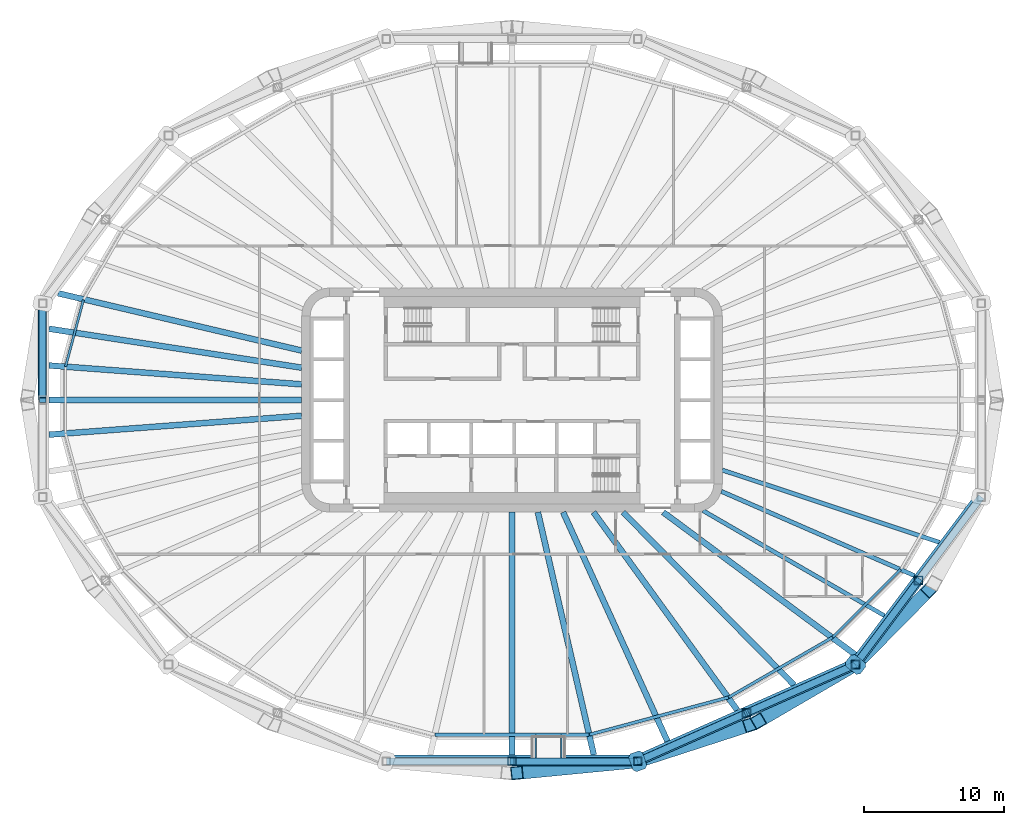
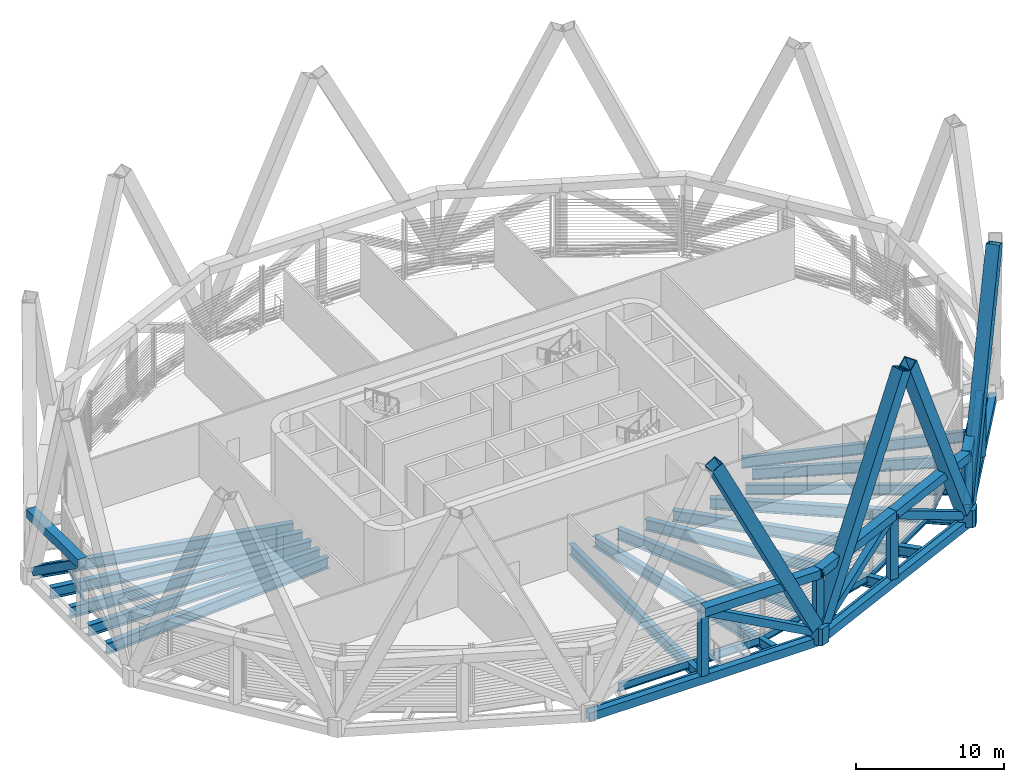
# One storey, part 2 of 18: 27 beams, 21 members.
"""IFC4 building model written with IfcOpenShell, lengths in metres."""

from ifc_helpers import new_model, si_unit, direction, frame, origin, origin_2d, place, context, subcontext, project, spatial, polyline, hollow_rectangle, i_section, outline, extrude, material, material_profile, profile_set, type_object, element, save


model = new_model("IFC4")

# Units and contexts
model_context = context("Model", 3, precision=1e-05, world=origin(), true_north=direction((0.0, 1.0)))
body_context = subcontext(model_context, "Body", "Model", "MODEL_VIEW")
ifc_project = project(units=[si_unit("LENGTHUNIT", "METRE"), si_unit("AREAUNIT", "SQUARE_METRE"), si_unit("VOLUMEUNIT", "CUBIC_METRE"), si_unit("PLANEANGLEUNIT", "RADIAN"), si_unit("MASSUNIT", "GRAM", prefix="KILO")], contexts=[model_context])

# Site, building, storey
site_placement = place(None, origin())
site = spatial("IfcSite", under=ifc_project, at=site_placement, CompositionType="ELEMENT")
building_placement = place(site_placement, origin())
building = spatial("IfcBuilding", under=site, at=building_placement, Name="Sahrelin Media Tower", CompositionType="ELEMENT")
storey_placement = place(building_placement, frame((0.0, 0.0, 96.60009765625)))
storey = spatial("IfcBuildingStorey", under=building, at=storey_placement, Name="L18", CompositionType="ELEMENT", Elevation=96.60009765625)

# Members
ifc_material_1 = material(Name="Steel S460", Category="steel")
ifc_material_profile_1 = material_profile(ifc_material_1, hollow_rectangle(XDim=0.699951171875, YDim=0.699951171875, WallThickness=0.044921875, at=origin_2d()), Name="Belt truss chord BC")
ifc_profile_set_1 = profile_set([ifc_material_profile_1], Name="Steel S460")
member_type_1 = type_object("IfcMemberType", Name="Belt truss chord BC", PredefinedType="CHORD", material=ifc_profile_set_1)
member_1_placement = place(storey_placement, frame((-33.46923828125, 6.902587890625, 4.89990234375), z_axis=(0.0, -1.0, 0.0), x_axis=(1.0, 0.0, 0.0)))
element("IfcMember", 1, at=member_1_placement, inside=storey, type_object=member_type_1, Name="Belt truss member BT03-05-T1", PredefinedType="CHORD", context=body_context, shape_type="SweptSolid", body=[
    extrude(hollow_rectangle(XDim=0.699951171875, YDim=0.699951171875, WallThickness=0.044921875, at=origin_2d()), origin(), (0.0, 0.0, 1.0), 6.902587890625),
])
member_2_placement = place(storey_placement, frame((0.0, -25.76123046875, 4.89990234375), z_axis=(1.0, 0.0, 0.0), x_axis=(0.0, 1.0, 0.0)))
element("IfcMember", 2, at=member_2_placement, inside=storey, type_object=member_type_1, Name="Belt truss member BT03-08-T2", PredefinedType="CHORD", context=body_context, shape_type="SweptSolid", body=[
    extrude(hollow_rectangle(XDim=0.699951171875, YDim=0.699951171875, WallThickness=0.044921875, at=origin_2d()), origin(), (0.0, 0.0, 1.0), 8.968017578125),
])
for number, where, z_axis, x_axis, name in (
    (3, (8.968017578125, -25.76123046875, 4.89990234375), (0.913829316363, 0.406098486276, 0.0), (-0.406098486276, 0.913829316363, 0.0), "Belt truss member BT03-09-T1"),
    (4, (16.734619140625, -22.309814453125, 4.89990234375), (0.913829316363, 0.406098486276, 0.0), (-0.406098486276, 0.913829316363, 0.0), "Belt truss member BT03-09-T2"),
):
    element("IfcMember", number, at=place(storey_placement, frame(where, z_axis=z_axis, x_axis=x_axis)), inside=storey, type_object=member_type_1, Name=name, PredefinedType="CHORD", context=body_context, shape_type="SweptSolid", body=[
        extrude(hollow_rectangle(XDim=0.699951171875, YDim=0.699951171875, WallThickness=0.044921875, at=origin_2d()), origin(), (0.0, 0.0, 1.0), 8.4990234375),
    ])
member_3_placement = place(storey_placement, frame((24.501220703125, -18.8583984375, 4.89990234375), z_axis=(0.600067953481, 0.79994903038, 0.0), x_axis=(-0.79994903038, 0.600067953481, 0.0)))
element("IfcMember", 5, at=member_3_placement, inside=storey, type_object=member_type_1, Name="Belt truss member BT03-10-T1", PredefinedType="CHORD", context=body_context, shape_type="SweptSolid", body=[
    extrude(hollow_rectangle(XDim=0.699951171875, YDim=0.699951171875, WallThickness=0.044921875, at=origin_2d()), origin(), (0.0, 0.0, 1.0), 7.47265625),
])
ifc_material_profile_2 = material_profile(ifc_material_1, hollow_rectangle(XDim=0.5, YDim=0.60009765625, WallThickness=0.030029296875, at=origin_2d()), Name="Belt truss diagonal BD")
ifc_profile_set_2 = profile_set([ifc_material_profile_2], Name="Steel S460")
member_type_2 = type_object("IfcMemberType", Name="Belt truss diagonal BD", PredefinedType="BRACE", material=ifc_profile_set_2)
member_4_placement = place(storey_placement, frame((-33.46923828125, 6.36669921875, 0.38037109375), z_axis=(0.0, -0.815432871451, 0.578851649525), x_axis=(1.0, 0.0, 0.0)))
element("IfcMember", 6, at=member_4_placement, inside=storey, type_object=member_type_2, Name="Belt truss member BT03-05-X1", PredefinedType="BRACE", context=body_context, shape_type="SweptSolid", body=[
    extrude(hollow_rectangle(XDim=0.5, YDim=0.60009765625, WallThickness=0.030029296875, at=origin_2d()), origin(), (0.0, 0.0, 1.0), 7.807861328125),
])
member_5_placement = place(storey_placement, frame((8.412109375, -25.76123046875, 0.3037109375), z_axis=(-0.877554684611, 0.0, 0.479476564096), x_axis=(0.0, -1.0, 0.0)))
element("IfcMember", 7, at=member_5_placement, inside=storey, type_object=member_type_2, Name="Belt truss member BT03-08-X2", PredefinedType="BRACE", context=body_context, shape_type="SweptSolid", body=[
    extrude(hollow_rectangle(XDim=0.5, YDim=0.60009765625, WallThickness=0.030029296875, at=origin_2d()), origin(), (0.0, 0.0, 1.0), 9.5859375),
])
member_6_placement = place(storey_placement, frame((9.449462890625, -25.54736328125, 0.3037109375), z_axis=(0.791676830159, 0.351823942518, 0.499467426427), x_axis=(-0.406107210213, 0.913825439465, 0.0)))
element("IfcMember", 8, at=member_6_placement, inside=storey, type_object=member_type_2, Name="Belt truss member BT03-09-X1", PredefinedType="BRACE", context=body_context, shape_type="SweptSolid", body=[
    extrude(hollow_rectangle(XDim=0.5, YDim=0.60009765625, WallThickness=0.030029296875, at=origin_2d()), origin(), (0.0, 0.0, 1.0), 9.2021484375),
])
member_7_placement = place(storey_placement, frame((23.95556640625, -19.10107421875, 0.34423828125), z_axis=(-0.791685975004, -0.351797977127, 0.499471220664), x_axis=(0.40607826395, -0.913838302736, 0.0)))
element("IfcMember", 9, at=member_7_placement, inside=storey, type_object=member_type_2, Name="Belt truss member BT03-09-X2", PredefinedType="BRACE", context=body_context, shape_type="SweptSolid", body=[
    extrude(hollow_rectangle(XDim=0.5, YDim=0.60009765625, WallThickness=0.030029296875, at=origin_2d()), origin(), (0.0, 0.0, 1.0), 9.12109375),
])
member_8_placement = place(storey_placement, frame((24.81640625, -18.4384765625, 0.34423828125), z_axis=(0.501794767351, 0.668971531901, 0.548342138602), x_axis=(-0.799962047202, 0.600050600396, 0.0)))
element("IfcMember", 10, at=member_8_placement, inside=storey, type_object=member_type_2, Name="Belt truss member BT03-10-X1", PredefinedType="BRACE", context=body_context, shape_type="SweptSolid", body=[
    extrude(hollow_rectangle(XDim=0.5, YDim=0.60009765625, WallThickness=0.030029296875, at=origin_2d()), origin(), (0.0, 0.0, 1.0), 8.30810546875),
])
ifc_material_profile_3 = material_profile(ifc_material_1, hollow_rectangle(XDim=0.60009765625, YDim=0.60009765625, WallThickness=0.034912109375, at=origin_2d()), Name="Belt truss post BP")
ifc_profile_set_3 = profile_set([ifc_material_profile_3], Name="Steel S460")
member_type_3 = type_object("IfcMemberType", Name="Belt truss post BP", PredefinedType="POST", material=ifc_profile_set_3)
member_9_placement = place(storey_placement, frame((0.0, -25.76123046875, -0.320068359375), z_axis=(0.0, 0.0, 1.0), x_axis=(1.0, 0.0, 0.0)))
element("IfcMember", 11, at=member_9_placement, inside=storey, type_object=member_type_3, Name="Belt truss member BT03-08-P1", PredefinedType="POST", context=body_context, shape_type="SweptSolid", body=[
    extrude(hollow_rectangle(XDim=0.60009765625, YDim=0.60009765625, WallThickness=0.034912109375, at=origin_2d()), origin(), (0.0, 0.0, 1.0), 5.219970703125),
])
member_10_placement = place(storey_placement, frame((8.968017578125, -25.76123046875, 0.699951171875), z_axis=(0.0, 0.0, 1.0), x_axis=(1.0, 0.0, 0.0)))
element("IfcMember", 12, at=member_10_placement, inside=storey, type_object=member_type_3, Name="Belt truss member BT03-09-P0", PredefinedType="POST", context=body_context, shape_type="SweptSolid", body=[
    extrude(hollow_rectangle(XDim=0.60009765625, YDim=0.60009765625, WallThickness=0.034912109375, at=origin_2d()), origin(), (0.0, 0.0, 1.0), 4.199951171875),
])
member_11_placement = place(storey_placement, frame((16.734619140625, -22.309814453125, -0.320068359375), z_axis=(0.0, 0.0, 1.0), x_axis=(1.0, 0.0, 0.0)))
element("IfcMember", 13, at=member_11_placement, inside=storey, type_object=member_type_3, Name="Belt truss member BT03-09-P1", PredefinedType="POST", context=body_context, shape_type="SweptSolid", body=[
    extrude(hollow_rectangle(XDim=0.60009765625, YDim=0.60009765625, WallThickness=0.034912109375, at=origin_2d()), origin(), (0.0, 0.0, 1.0), 5.219970703125),
])
member_12_placement = place(storey_placement, frame((24.501220703125, -18.8583984375, 0.699951171875), z_axis=(0.0, 0.0, 1.0), x_axis=(1.0, 0.0, 0.0)))
element("IfcMember", 14, at=member_12_placement, inside=storey, type_object=member_type_3, Name="Belt truss member BT03-10-P0", PredefinedType="POST", context=body_context, shape_type="SweptSolid", body=[
    extrude(hollow_rectangle(XDim=0.60009765625, YDim=0.60009765625, WallThickness=0.034912109375, at=origin_2d()), origin(), (0.0, 0.0, 1.0), 4.199951171875),
])
member_13_placement = place(storey_placement, frame((28.9853515625, -12.880615234375, -0.320068359375), z_axis=(0.0, 0.0, 1.0), x_axis=(1.0, 0.0, 0.0)))
element("IfcMember", 15, at=member_13_placement, inside=storey, type_object=member_type_3, Name="Belt truss member BT03-10-P1", PredefinedType="POST", context=body_context, shape_type="SweptSolid", body=[
    extrude(hollow_rectangle(XDim=0.60009765625, YDim=0.60009765625, WallThickness=0.034912109375, at=origin_2d()), origin(), (0.0, 0.0, 1.0), 5.219970703125),
])
ifc_material_profile_4 = material_profile(ifc_material_1, hollow_rectangle(XDim=0.949951171875, YDim=0.949951171875, WallThickness=0.054931640625, at=origin_2d()), Name="Diagrid diagonal DG2")
ifc_profile_set_4 = profile_set([ifc_material_profile_4], Name="Steel S460")
member_type_4 = type_object("IfcMemberType", Name="Diagrid diagonal DG2", PredefinedType="BRACE", material=ifc_profile_set_4)
member_14_placement = place(storey_placement, frame((8.619384765625, -25.794921875, 0.699951171875), z_axis=(-0.445531291563, -0.043019626128, 0.894232173435), x_axis=(0.096111031278, -0.99537061925, 0.0)))
element("IfcMember", 16, at=member_14_placement, inside=storey, type_object=member_type_4, Name="Diagrid diagonal D03-18", PredefinedType="BRACE", context=body_context, shape_type="SweptSolid", body=[
    extrude(hollow_rectangle(XDim=0.949951171875, YDim=0.949951171875, WallThickness=0.054931640625, at=origin_2d()), origin(), (0.0, 0.0, 1.0), 18.563232421875),
])
member_15_placement = place(storey_placement, frame((9.2919921875, -25.656005859375, 0.699951171875), z_axis=(0.416103339156, 0.134953864114, 0.899247166081), x_axis=(-0.308507655492, 0.951221859769, 0.0)))
element("IfcMember", 17, at=member_15_placement, inside=storey, type_object=member_type_4, Name="Diagrid diagonal D03-19", PredefinedType="BRACE", context=body_context, shape_type="SweptSolid", body=[
    extrude(hollow_rectangle(XDim=0.949951171875, YDim=0.949951171875, WallThickness=0.054931640625, at=origin_2d()), origin(), (0.0, 0.0, 1.0), 18.459716796875),
])
member_16_placement = place(storey_placement, frame((24.220947265625, -19.02197265625, 0.699951171875), z_axis=(-0.363136743751, -0.211780836518, 0.907348104435), x_axis=(0.503784178099, -0.863829556045, 0.0)))
element("IfcMember", 18, at=member_16_placement, inside=storey, type_object=member_type_4, Name="Diagrid diagonal D03-20", PredefinedType="BRACE", context=body_context, shape_type="SweptSolid", body=[
    extrude(hollow_rectangle(XDim=0.949951171875, YDim=0.949951171875, WallThickness=0.054931640625, at=origin_2d()), origin(), (0.0, 0.0, 1.0), 18.294921875),
])
member_17_placement = place(storey_placement, frame((24.71337890625, -18.642822265625, 0.699951171875), z_axis=(0.278358636156, 0.28275966993, 0.917912544166), x_axis=(-0.712630930764, 0.70153913399, 0.0)))
element("IfcMember", 19, at=member_17_placement, inside=storey, type_object=member_type_4, Name="Diagrid diagonal D03-21", PredefinedType="BRACE", context=body_context, shape_type="SweptSolid", body=[
    extrude(hollow_rectangle(XDim=0.949951171875, YDim=0.949951171875, WallThickness=0.054931640625, at=origin_2d()), origin(), (0.0, 0.0, 1.0), 18.08447265625),
])
ifc_material_profile_5 = material_profile(ifc_material_1, outline(polyline([(0.47509765625, -0.52490234375), (0.675048828125, -0.324951171875), (0.675048828125, 0.324951171875), (0.47509765625, 0.52490234375), (-0.47509765625, 0.52490234375), (-0.675048828125, 0.324951171875), (-0.675048828125, -0.324951171875), (-0.47509765625, -0.52490234375), (0.47509765625, -0.52490234375)])), Name="Diagrid node block 1350")
ifc_profile_set_5 = profile_set([ifc_material_profile_5], Name="Steel S460")
member_type_5 = type_object("IfcMemberType", Name="Diagrid node block 1350", PredefinedType="USERDEFINED", material=ifc_profile_set_5)
for number, where, z_axis, x_axis, name in (
    (20, (8.968017578125, -25.76123046875, -0.7001953125), (0.0, 0.0, 1.0), (0.328771046687, -0.944409656272, 0.0), "Diagrid node N03-09"),
    (21, (24.501220703125, -18.8583984375, -0.7001953125), (0.0, 0.0, 1.0), (0.792445093645, -0.609943254376, 0.0), "Diagrid node N03-10"),
):
    element("IfcMember", number, at=place(storey_placement, frame(where, z_axis=z_axis, x_axis=x_axis)), inside=storey, type_object=member_type_5, Name=name, ObjectType="NODE", PredefinedType="USERDEFINED", context=body_context, shape_type="SweptSolid", body=[
        extrude(outline(polyline([(0.47509765625, -0.52490234375), (0.675048828125, -0.324951171875), (0.675048828125, 0.324951171875), (0.47509765625, 0.52490234375), (-0.47509765625, 0.52490234375), (-0.675048828125, 0.324951171875), (-0.675048828125, -0.324951171875), (-0.47509765625, -0.52490234375), (0.47509765625, -0.52490234375)])), origin(), (0.0, 0.0, 1.0), 1.400146484375),
    ])

# Beams
ifc_material_profile_6 = material_profile(ifc_material_1, hollow_rectangle(XDim=0.5, YDim=0.699951171875, WallThickness=0.034912109375, at=origin_2d()), Name="Diagrid ring beam RB2")
ifc_profile_set_6 = profile_set([ifc_material_profile_6], Name="Steel S460")
beam_type_1 = type_object("IfcBeamType", Name="Diagrid ring beam RB2", PredefinedType="BEAM", material=ifc_profile_set_6)
beam_1_placement = place(storey_placement, frame((-8.968017578125, -25.76123046875, -0.650146484375), z_axis=(1.0, 0.0, 0.0), x_axis=(0.0, 1.0, 0.0)))
element("IfcBeam", 22, at=beam_1_placement, inside=storey, type_object=beam_type_1, Name="Diagrid ring beam RB03-08", PredefinedType="BEAM", context=body_context, shape_type="SweptSolid", body=[
    extrude(hollow_rectangle(XDim=0.5, YDim=0.699951171875, WallThickness=0.034912109375, at=origin_2d()), origin(), (0.0, 0.0, 1.0), 17.93603515625),
])
beam_2_placement = place(storey_placement, frame((8.968017578125, -25.76123046875, -0.650146484375), z_axis=(0.913829316363, 0.406098486276, 0.0), x_axis=(-0.406098486276, 0.913829316363, 0.0)))
element("IfcBeam", 23, at=beam_2_placement, inside=storey, type_object=beam_type_1, Name="Diagrid ring beam RB03-09", PredefinedType="BEAM", context=body_context, shape_type="SweptSolid", body=[
    extrude(hollow_rectangle(XDim=0.5, YDim=0.699951171875, WallThickness=0.034912109375, at=origin_2d()), origin(), (0.0, 0.0, 1.0), 16.998046875),
])
beam_3_placement = place(storey_placement, frame((24.501220703125, -18.8583984375, -0.650146484375), z_axis=(0.600049658577, 0.799962753659, 0.0), x_axis=(-0.799962753659, 0.600049658577, 0.0)))
element("IfcBeam", 24, at=beam_3_placement, inside=storey, type_object=beam_type_1, Name="Diagrid ring beam RB03-10", PredefinedType="BEAM", context=body_context, shape_type="SweptSolid", body=[
    extrude(hollow_rectangle(XDim=0.5, YDim=0.699951171875, WallThickness=0.034912109375, at=origin_2d()), origin(), (0.0, 0.0, 1.0), 14.945556640625),
])
ifc_material_2 = material(Name="Steel S355", Category="steel")
ifc_material_profile_7 = material_profile(ifc_material_2, i_section(OverallWidth=0.1650390625, OverallDepth=0.303466796875, WebThickness=0.006103515625, FlangeThickness=0.01025390625, FilletRadius=0.0087890625, at=origin_2d()), Name="UB 305x165x40")
ifc_profile_set_7 = profile_set([ifc_material_profile_7], Name="Steel S355")
beam_type_2 = type_object("IfcBeamType", Name="Edge beam EB2", PredefinedType="BEAM", material=ifc_profile_set_7)
beam_4_placement = place(storey_placement, frame((-31.841064453125, 2.385498046875, -0.451904296875), z_axis=(0.258792983491, 0.9659328091, 0.0), x_axis=(-0.9659328091, 0.258792983491, 0.0)))
element("IfcBeam", 25, at=beam_4_placement, inside=storey, type_object=beam_type_2, Name="Edge beam L18-14", PredefinedType="BEAM", context=body_context, shape_type="SweptSolid", body=[
    extrude(i_section(OverallWidth=0.1650390625, OverallDepth=0.303466796875, WebThickness=0.006103515625, FlangeThickness=0.01025390625, FilletRadius=0.0087890625, at=origin_2d()), origin(), (0.0, 0.0, 1.0), 4.932861328125),
])
ifc_material_profile_8 = material_profile(ifc_material_2, i_section(OverallWidth=0.177978515625, OverallDepth=0.406494140625, WebThickness=0.0078125, FlangeThickness=0.0126953125, FilletRadius=0.01025390625, at=origin_2d()), Name="UB 406x178x60")
ifc_profile_set_8 = profile_set([ifc_material_profile_8], Name="Steel S355")
beam_type_3 = type_object("IfcBeamType", Name="Edge beam EB4", PredefinedType="BEAM", material=ifc_profile_set_8)
beam_5_placement = place(storey_placement, frame((27.724853515625, -12.068603515625, -0.50341796875), z_axis=(-0.707106781187, -0.707106781187, 0.0), x_axis=(0.707106781187, -0.707106781187, 0.0)))
element("IfcBeam", 26, at=beam_5_placement, inside=storey, type_object=beam_type_3, Name="Edge beam L18-04", PredefinedType="BEAM", context=body_context, shape_type="SweptSolid", body=[
    extrude(i_section(OverallWidth=0.177978515625, OverallDepth=0.406494140625, WebThickness=0.0078125, FlangeThickness=0.0126953125, FilletRadius=0.01025390625, at=origin_2d()), origin(), (0.0, 0.0, 1.0), 6.843994140625),
])
ifc_material_profile_9 = material_profile(ifc_material_2, i_section(OverallWidth=0.208740234375, OverallDepth=0.5283203125, WebThickness=0.009521484375, FlangeThickness=0.01318359375, FilletRadius=0.0126953125, at=origin_2d()), Name="UB 533x210x82")
ifc_profile_set_9 = profile_set([ifc_material_profile_9], Name="Steel S355")
beam_type_4 = type_object("IfcBeamType", Name="Edge beam EB6", PredefinedType="BEAM", material=ifc_profile_set_9)
beam_6_placement = place(storey_placement, frame((22.862548828125, -16.925537109375, -0.564208984375), z_axis=(-0.866026195692, -0.499998628373, 0.0), x_axis=(0.499998628373, -0.866026195692, 0.0)))
element("IfcBeam", 27, at=beam_6_placement, inside=storey, type_object=beam_type_4, Name="Edge beam L18-05", PredefinedType="BEAM", context=body_context, shape_type="SweptSolid", body=[
    extrude(i_section(OverallWidth=0.208740234375, OverallDepth=0.5283203125, WebThickness=0.009521484375, FlangeThickness=0.01318359375, FilletRadius=0.0126953125, at=origin_2d()), origin(), (0.0, 0.0, 1.0), 8.544921875),
])
ifc_material_profile_10 = material_profile(ifc_material_2, i_section(OverallWidth=0.2275390625, OverallDepth=0.6025390625, WebThickness=0.010498046875, FlangeThickness=0.014892578125, FilletRadius=0.0126953125, at=origin_2d()), Name="UB 610x229x101")
ifc_profile_set_10 = profile_set([ifc_material_profile_10], Name="Steel S355")
beam_type_5 = type_object("IfcBeamType", Name="Edge beam EB7", PredefinedType="BEAM", material=ifc_profile_set_10)
beam_7_placement = place(storey_placement, frame((15.435791015625, -21.208984375, -0.601318359375), z_axis=(-0.965924345533, -0.258824571297, 0.0), x_axis=(0.258824571297, -0.965924345533, 0.0)))
element("IfcBeam", 28, at=beam_7_placement, inside=storey, type_object=beam_type_5, Name="Edge beam L18-06", PredefinedType="BEAM", context=body_context, shape_type="SweptSolid", body=[
    extrude(i_section(OverallWidth=0.2275390625, OverallDepth=0.6025390625, WebThickness=0.010498046875, FlangeThickness=0.014892578125, FilletRadius=0.0126953125, at=origin_2d()), origin(), (0.0, 0.0, 1.0), 10.25146484375),
])
ifc_material_profile_11 = material_profile(ifc_material_2, i_section(OverallWidth=0.2529296875, OverallDepth=0.677978515625, WebThickness=0.01171875, FlangeThickness=0.01611328125, FilletRadius=0.01513671875, at=origin_2d()), Name="UB 686x254x125")
ifc_profile_set_11 = profile_set([ifc_material_profile_11], Name="Steel S355")
beam_type_6 = type_object("IfcBeamType", Name="Edge beam EB8", PredefinedType="BEAM", material=ifc_profile_set_11)
beam_8_placement = place(storey_placement, frame((5.505126953125, -23.8662109375, -0.638916015625), z_axis=(-1.0, 0.0, 0.0), x_axis=(0.0, -1.0, 0.0)))
element("IfcBeam", 29, at=beam_8_placement, inside=storey, type_object=beam_type_6, Name="Edge beam L18-07", PredefinedType="BEAM", context=body_context, shape_type="SweptSolid", body=[
    extrude(i_section(OverallWidth=0.2529296875, OverallDepth=0.677978515625, WebThickness=0.01171875, FlangeThickness=0.01611328125, FilletRadius=0.01513671875, at=origin_2d()), origin(), (0.0, 0.0, 1.0), 11.01025390625),
])
ifc_material_profile_12 = material_profile(ifc_material_2, hollow_rectangle(XDim=0.10009765625, YDim=0.199951171875, WallThickness=0.008056640625, at=origin_2d()), Name="RHS 200x100x8")
ifc_profile_set_12 = profile_set([ifc_material_profile_12], Name="Steel S355")
beam_type_7 = type_object("IfcBeamType", Name="Platform support beam", PredefinedType="BEAM", material=ifc_profile_set_12)
for number, where, z_axis, x_axis, name in (
    (30, (1.699951171875, -23.871826171875, -0.400146484375), (0.0, -1.0, 0.0), (1.0, 0.0, 0.0), "Platform support beam L18-18"),
    (31, (3.5, -23.871826171875, -0.400146484375), (0.0, -1.0, 0.0), (1.0, 0.0, 0.0), "Platform support beam L18-18"),
):
    element("IfcBeam", number, at=place(storey_placement, frame(where, z_axis=z_axis, x_axis=x_axis)), inside=storey, type_object=beam_type_7, Name=name, PredefinedType="BEAM", context=body_context, shape_type="SweptSolid", body=[
        extrude(hollow_rectangle(XDim=0.10009765625, YDim=0.199951171875, WallThickness=0.008056640625, at=origin_2d()), origin(), (0.0, 0.0, 1.0), 1.639404296875),
    ])
ifc_material_profile_13 = material_profile(ifc_material_2, i_section(OverallWidth=0.30322265625, OverallDepth=0.903076171875, WebThickness=0.01513671875, FlangeThickness=0.020263671875, FilletRadius=0.01904296875, at=origin_2d()), Name="UB 914x305x201")
ifc_profile_set_13 = profile_set([ifc_material_profile_13], Name="Steel S355")
beam_type_8 = type_object("IfcBeamType", Name="Radial primary beam PB11", PredefinedType="BEAM", material=ifc_profile_set_13)
beam_9_placement = place(storey_placement, frame((14.932373046875, -6.513427734375, -0.751708984375), z_axis=(0.916592885932, -0.399821812136, 0.0), x_axis=(0.399821812136, 0.916592885932, 0.0)))
element("IfcBeam", 32, at=beam_9_placement, inside=storey, type_object=beam_type_8, Name="Radial beam L18-22", PredefinedType="BEAM", context=body_context, shape_type="SweptSolid", body=[
    extrude(i_section(OverallWidth=0.30322265625, OverallDepth=0.903076171875, WebThickness=0.01513671875, FlangeThickness=0.020263671875, FilletRadius=0.01904296875, at=origin_2d()), origin(), (0.0, 0.0, 1.0), 15.02001953125),
])
ifc_material_profile_14 = material_profile(ifc_material_2, i_section(OverallWidth=0.41845703125, OverallDepth=0.911865234375, WebThickness=0.019287109375, FlangeThickness=0.031982421875, FilletRadius=0.024169921875, at=origin_2d()), Name="UB 914x419x343")
ifc_profile_set_14 = profile_set([ifc_material_profile_14], Name="Steel S355")
beam_type_9 = type_object("IfcBeamType", Name="Radial primary beam PB12", PredefinedType="BEAM", material=ifc_profile_set_14)
beam_10_placement = place(storey_placement, frame((-15.0, 3.52880859375, -0.756103515625), z_axis=(-0.973427211661, 0.228996645387, 0.0), x_axis=(-0.228996645387, -0.973427211661, 0.0)))
element("IfcBeam", 33, at=beam_10_placement, inside=storey, type_object=beam_type_9, Name="Radial beam L18-11", PredefinedType="BEAM", context=body_context, shape_type="SweptSolid", body=[
    extrude(i_section(OverallWidth=0.41845703125, OverallDepth=0.911865234375, WebThickness=0.019287109375, FlangeThickness=0.031982421875, FilletRadius=0.024169921875, at=origin_2d()), origin(), (0.0, 0.0, 1.0), 17.851318359375),
])
for number, where, z_axis, x_axis, name in (
    (34, (-15.0, 1.12109375, -0.756103515625), (-0.997219371727, 0.074521974288, 0.0), (-0.074521974288, -0.997219371727, 0.0), "Radial beam L18-12"),
    (35, (-15.0, -1.12109375, -0.756103515625), (-0.997219371727, -0.074521974288, 0.0), (0.074521974288, -0.997219371727, 0.0), "Radial beam L18-13"),
):
    element("IfcBeam", number, at=place(storey_placement, frame(where, z_axis=z_axis, x_axis=x_axis)), inside=storey, type_object=beam_type_9, Name=name, PredefinedType="BEAM", context=body_context, shape_type="SweptSolid", body=[
        extrude(i_section(OverallWidth=0.41845703125, OverallDepth=0.911865234375, WebThickness=0.019287109375, FlangeThickness=0.031982421875, FilletRadius=0.024169921875, at=origin_2d()), origin(), (0.0, 0.0, 1.0), 18.07421875),
    ])
beam_11_placement = place(storey_placement, frame((1.84521484375, -8.0, -0.756103515625), z_axis=(0.224748130756, -0.974416891131, 0.0), x_axis=(0.974416891131, 0.224748130756, 0.0)))
element("IfcBeam", 36, at=beam_11_placement, inside=storey, type_object=beam_type_9, Name="Radial beam L18-19", PredefinedType="BEAM", context=body_context, shape_type="SweptSolid", body=[
    extrude(i_section(OverallWidth=0.41845703125, OverallDepth=0.911865234375, WebThickness=0.019287109375, FlangeThickness=0.031982421875, FilletRadius=0.024169921875, at=origin_2d()), origin(), (0.0, 0.0, 1.0), 17.7705078125),
])
beam_12_placement = place(storey_placement, frame((5.812255859375, -8.0, -0.756103515625), z_axis=(0.587771505131, -0.809026982094, 0.0), x_axis=(0.809026982094, 0.587771505131, 0.0)))
element("IfcBeam", 37, at=beam_12_placement, inside=storey, type_object=beam_type_9, Name="Radial beam L18-20", PredefinedType="BEAM", context=body_context, shape_type="SweptSolid", body=[
    extrude(i_section(OverallWidth=0.41845703125, OverallDepth=0.911865234375, WebThickness=0.019287109375, FlangeThickness=0.031982421875, FilletRadius=0.024169921875, at=origin_2d()), origin(), (0.0, 0.0, 1.0), 17.45068359375),
])
beam_13_placement = place(storey_placement, frame((10.78369140625, -8.0, -0.756103515625), z_axis=(0.803136278575, -0.595795365907, 0.0), x_axis=(0.595795365907, 0.803136278575, 0.0)))
element("IfcBeam", 38, at=beam_13_placement, inside=storey, type_object=beam_type_9, Name="Radial beam L18-21", PredefinedType="BEAM", context=body_context, shape_type="SweptSolid", body=[
    extrude(i_section(OverallWidth=0.41845703125, OverallDepth=0.911865234375, WebThickness=0.019287109375, FlangeThickness=0.031982421875, FilletRadius=0.024169921875, at=origin_2d()), origin(), (0.0, 0.0, 1.0), 17.044189453125),
])
ifc_material_profile_15 = material_profile(ifc_material_2, i_section(OverallWidth=0.291748046875, OverallDepth=0.8349609375, WebThickness=0.013916015625, FlangeThickness=0.018798828125, FilletRadius=0.017822265625, at=origin_2d()), Name="UB 838x292x176")
ifc_profile_set_15 = profile_set([ifc_material_profile_15], Name="Steel S355")
beam_type_10 = type_object("IfcBeamType", Name="Radial secondary beam SB10", PredefinedType="BEAM", material=ifc_profile_set_15)
beam_14_placement = place(storey_placement, frame((13.624267578125, -7.8876953125, -0.717529296875), z_axis=(0.865434487743, -0.501022102731, 0.0), x_axis=(0.501022102731, 0.865434487743, 0.0)))
element("IfcBeam", 39, at=beam_14_placement, inside=storey, type_object=beam_type_10, Name="Secondary beam L18-21", PredefinedType="BEAM", context=body_context, shape_type="SweptSolid", body=[
    extrude(i_section(OverallWidth=0.291748046875, OverallDepth=0.8349609375, WebThickness=0.013916015625, FlangeThickness=0.018798828125, FilletRadius=0.017822265625, at=origin_2d()), origin(), (0.0, 0.0, 1.0), 14.944091796875),
])
ifc_material_profile_16 = material_profile(ifc_material_2, i_section(OverallWidth=0.30322265625, OverallDepth=0.903076171875, WebThickness=0.01513671875, FlangeThickness=0.020263671875, FilletRadius=0.01904296875, at=origin_2d()), Name="UB 914x305x201")
ifc_profile_set_16 = profile_set([ifc_material_profile_16], Name="Steel S355")
beam_type_11 = type_object("IfcBeamType", Name="Radial secondary beam SB11", PredefinedType="BEAM", material=ifc_profile_set_16)
beam_15_placement = place(storey_placement, frame((15.0, -4.990478515625, -0.751708984375), z_axis=(0.948859701719, -0.315698062163, 0.0), x_axis=(0.315698062163, 0.948859701719, 0.0)))
element("IfcBeam", 40, at=beam_15_placement, inside=storey, type_object=beam_type_11, Name="Secondary beam L18-22", PredefinedType="BEAM", context=body_context, shape_type="SweptSolid", body=[
    extrude(i_section(OverallWidth=0.30322265625, OverallDepth=0.903076171875, WebThickness=0.01513671875, FlangeThickness=0.020263671875, FilletRadius=0.01904296875, at=origin_2d()), origin(), (0.0, 0.0, 1.0), 16.3173828125),
])
ifc_material_profile_17 = material_profile(ifc_material_2, i_section(OverallWidth=0.41845703125, OverallDepth=0.911865234375, WebThickness=0.019287109375, FlangeThickness=0.031982421875, FilletRadius=0.024169921875, at=origin_2d()), Name="UB 914x419x343")
ifc_profile_set_17 = profile_set([ifc_material_profile_17], Name="Steel S355")
beam_type_12 = type_object("IfcBeamType", Name="Radial secondary beam SB12", PredefinedType="BEAM", material=ifc_profile_set_17)
beam_16_placement = place(storey_placement, frame((-15.0, 2.310302734375, -0.756103515625), z_axis=(-0.988345217227, 0.152229207394, 0.0), x_axis=(-0.152229207394, -0.988345217227, 0.0)))
element("IfcBeam", 41, at=beam_16_placement, inside=storey, type_object=beam_type_12, Name="Secondary beam L18-11", PredefinedType="BEAM", context=body_context, shape_type="SweptSolid", body=[
    extrude(i_section(OverallWidth=0.41845703125, OverallDepth=0.911865234375, WebThickness=0.019287109375, FlangeThickness=0.031982421875, FilletRadius=0.024169921875, at=origin_2d()), origin(), (0.0, 0.0, 1.0), 18.236572265625),
])
beam_17_placement = place(storey_placement, frame((-15.0, 0.0, -0.756103515625), z_axis=(-1.0, 0.0, 0.0), x_axis=(0.0, -1.0, 0.0)))
element("IfcBeam", 42, at=beam_17_placement, inside=storey, type_object=beam_type_12, Name="Secondary beam L18-12", PredefinedType="BEAM", context=body_context, shape_type="SweptSolid", body=[
    extrude(i_section(OverallWidth=0.41845703125, OverallDepth=0.911865234375, WebThickness=0.019287109375, FlangeThickness=0.031982421875, FilletRadius=0.024169921875, at=origin_2d()), origin(), (0.0, 0.0, 1.0), 18.02392578125),
])
beam_18_placement = place(storey_placement, frame((0.0, -8.0, -0.756103515625), z_axis=(0.0, -1.0, 0.0), x_axis=(1.0, 0.0, 0.0)))
element("IfcBeam", 43, at=beam_18_placement, inside=storey, type_object=beam_type_12, Name="Secondary beam L18-18", PredefinedType="BEAM", context=body_context, shape_type="SweptSolid", body=[
    extrude(i_section(OverallWidth=0.41845703125, OverallDepth=0.911865234375, WebThickness=0.019287109375, FlangeThickness=0.031982421875, FilletRadius=0.024169921875, at=origin_2d()), origin(), (0.0, 0.0, 1.0), 17.31591796875),
])
beam_19_placement = place(storey_placement, frame((3.644775390625, -8.0, -0.756103515625), z_axis=(0.414596028324, -0.910005567729, 0.0), x_axis=(0.910005567729, 0.414596028324, 0.0)))
element("IfcBeam", 44, at=beam_19_placement, inside=storey, type_object=beam_type_12, Name="Secondary beam L18-19", PredefinedType="BEAM", context=body_context, shape_type="SweptSolid", body=[
    extrude(i_section(OverallWidth=0.41845703125, OverallDepth=0.911865234375, WebThickness=0.019287109375, FlangeThickness=0.031982421875, FilletRadius=0.024169921875, at=origin_2d()), origin(), (0.0, 0.0, 1.0), 17.947998046875),
])
beam_20_placement = place(storey_placement, frame((7.920654296875, -8.0, -0.756103515625), z_axis=(0.703577242699, -0.710618789194, 0.0), x_axis=(0.710618789194, 0.703577242699, 0.0)))
element("IfcBeam", 45, at=beam_20_placement, inside=storey, type_object=beam_type_12, Name="Secondary beam L18-20", PredefinedType="BEAM", context=body_context, shape_type="SweptSolid", body=[
    extrude(i_section(OverallWidth=0.41845703125, OverallDepth=0.911865234375, WebThickness=0.019287109375, FlangeThickness=0.031982421875, FilletRadius=0.024169921875, at=origin_2d()), origin(), (0.0, 0.0, 1.0), 17.335693359375),
])
ifc_material_profile_18 = material_profile(ifc_material_2, i_section(OverallWidth=0.1904296875, OverallDepth=0.45703125, WebThickness=0.009033203125, FlangeThickness=0.014404296875, FilletRadius=0.01025390625, at=origin_2d()), Name="UB 457x191x74")
ifc_profile_set_18 = profile_set([ifc_material_profile_18], Name="Steel S355")
beam_type_13 = type_object("IfcBeamType", Name="Tie chord TC5", PredefinedType="BEAM", material=ifc_profile_set_18)
beam_21_placement = place(storey_placement, frame((33.119140625, -6.785888671875, -0.528564453125), z_axis=(-0.600058309569, -0.799956264503, 0.0), x_axis=(0.799956264503, -0.600058309569, 0.0)))
element("IfcBeam", 46, at=beam_21_placement, inside=storey, type_object=beam_type_13, Name="Tie chord L18-02", PredefinedType="BEAM", context=body_context, shape_type="SweptSolid", body=[
    extrude(i_section(OverallWidth=0.1904296875, OverallDepth=0.45703125, WebThickness=0.009033203125, FlangeThickness=0.014404296875, FilletRadius=0.01025390625, at=origin_2d()), origin(), (0.0, 0.0, 1.0), 14.73779296875),
])
beam_22_placement = place(storey_placement, frame((24.275634765625, -18.575439453125, -0.528564453125), z_axis=(-0.913831883467, -0.406092709563, 0.0), x_axis=(0.406092709563, -0.913831883467, 0.0)))
element("IfcBeam", 47, at=beam_22_placement, inside=storey, type_object=beam_type_13, Name="Tie chord L18-03", PredefinedType="BEAM", context=body_context, shape_type="SweptSolid", body=[
    extrude(i_section(OverallWidth=0.1904296875, OverallDepth=0.45703125, WebThickness=0.009033203125, FlangeThickness=0.014404296875, FilletRadius=0.01025390625, at=origin_2d()), origin(), (0.0, 0.0, 1.0), 16.832275390625),
])
beam_23_placement = place(storey_placement, frame((8.893798828125, -25.410888671875, -0.528564453125), z_axis=(-1.0, 0.0, 0.0), x_axis=(0.0, -1.0, 0.0)))
element("IfcBeam", 48, at=beam_23_placement, inside=storey, type_object=beam_type_13, Name="Tie chord L18-04", PredefinedType="BEAM", context=body_context, shape_type="SweptSolid", body=[
    extrude(i_section(OverallWidth=0.1904296875, OverallDepth=0.45703125, WebThickness=0.009033203125, FlangeThickness=0.014404296875, FilletRadius=0.01025390625, at=origin_2d()), origin(), (0.0, 0.0, 1.0), 17.78759765625),
])

save(model, "model.ifc")
